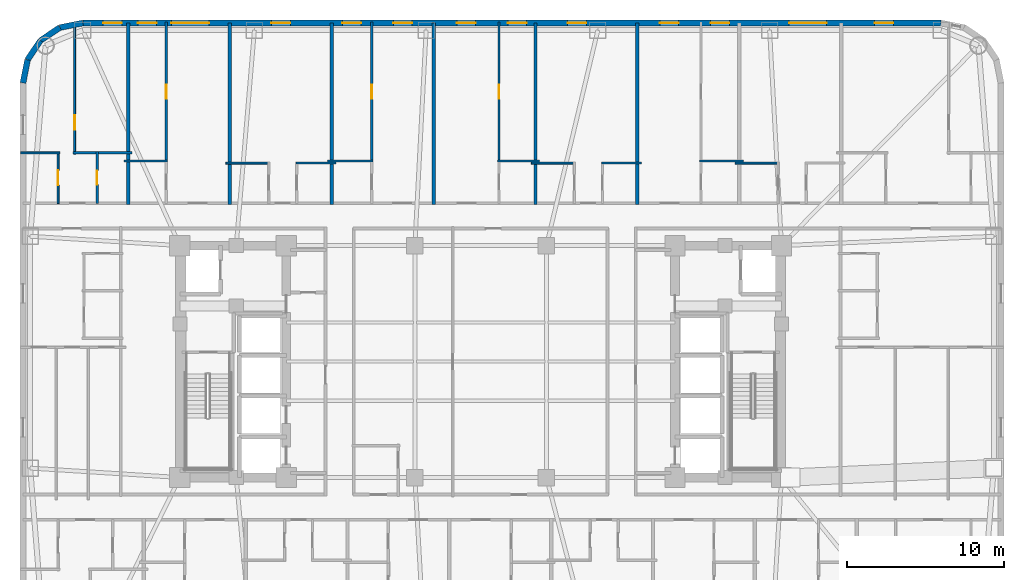
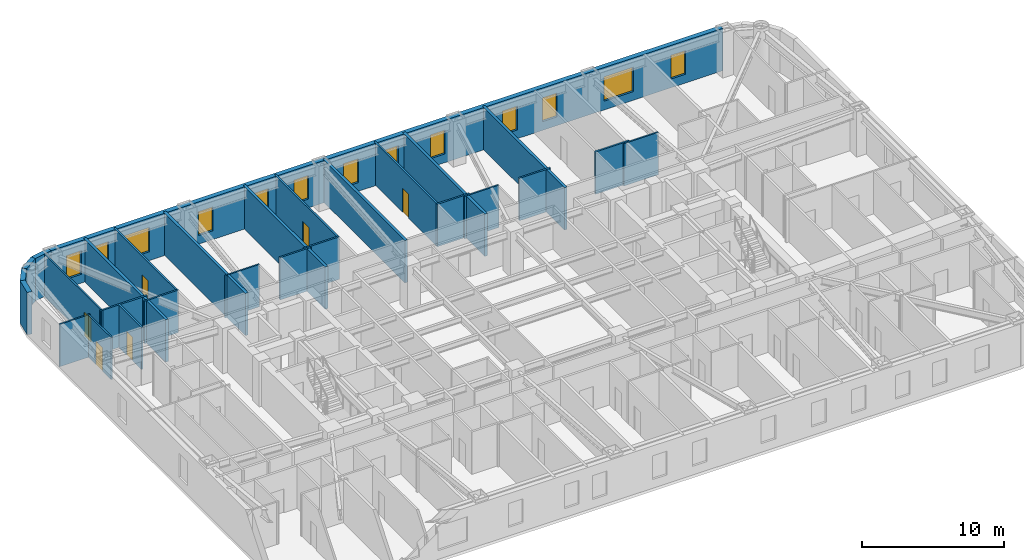
# One storey, part 9 of 12: 28 walls, 13 windows, 6 doors, 19 openings.
"""IFC4 building model written with IfcOpenShell, lengths in metres."""

from ifc_helpers import new_model, si_unit, direction, frame, frame_2d, origin, place, context, subcontext, project, spatial, rectangle, extrude, material, layer, layer_set, type_object, element, fill, save


model = new_model("IFC4")

# Units and contexts
model_context = context("Model", 3, precision=1e-05, world=origin(), true_north=direction((0.0, 1.0)))
body_context = subcontext(model_context, "Body", "Model", "MODEL_VIEW")
ifc_project = project(units=[si_unit("LENGTHUNIT", "METRE"), si_unit("AREAUNIT", "SQUARE_METRE"), si_unit("VOLUMEUNIT", "CUBIC_METRE"), si_unit("PLANEANGLEUNIT", "RADIAN"), si_unit("MASSUNIT", "GRAM", prefix="KILO")], contexts=[model_context])

# Site, building, storey
site_placement = place(None, origin())
site = spatial("IfcSite", under=ifc_project, at=site_placement, CompositionType="ELEMENT")
building_placement = place(site_placement, origin())
building = spatial("IfcBuilding", under=site, at=building_placement, Name="Voryun Gate Residences", CompositionType="ELEMENT")
storey_placement = place(building_placement, frame((0.0, 0.0, 128.699951171875)))
storey = spatial("IfcBuildingStorey", under=building, at=storey_placement, Name="L31", CompositionType="ELEMENT", Elevation=128.699951171875)

# Walls
ifc_material_1 = material(Name="Granite masonry", Category="masonry")
ifc_layer_1 = layer(ifc_material_1, 0.3798828125, Name="W_EXT_GRANITE_380")
ifc_layer_set_1 = layer_set([ifc_layer_1], Name="Granite masonry")
wall_type_1 = type_object("IfcWallType", Name="W_EXT_GRANITE_380", PredefinedType="ELEMENTEDWALL", material=ifc_layer_set_1)
wall_1_placement = place(storey_placement, frame((-29.2099609375, 17.78125, 0.0), z_axis=(0.0, 0.0, 1.0), x_axis=(0.195086038585, 0.980786132421, 0.0)))
element("IfcWall", 1, at=wall_1_placement, inside=storey, type_object=wall_type_1, Name="Exterior wall WEXT-L31-07", PredefinedType="ELEMENTEDWALL", context=body_context, shape_type="SweptSolid", body=[
    extrude(rectangle(XDim=1.504150390625, YDim=0.3798828125, at=frame_2d((0.751953125, 0.0))), origin(), (0.0, 0.0, 1.0), 3.650146484375),
])
wall_2_placement = place(storey_placement, frame((-28.91650390625, 19.256591796875, 0.0), z_axis=(0.0, 0.0, 1.0), x_axis=(0.555610286119, 0.831442848281, 0.0)))
element("IfcWall", 2, at=wall_2_placement, inside=storey, type_object=wall_type_1, Name="Exterior wall WEXT-L31-08", PredefinedType="ELEMENTEDWALL", context=body_context, shape_type="SweptSolid", body=[
    extrude(rectangle(XDim=1.485107421875, YDim=0.3798828125, at=frame_2d((0.74267578125, 0.0))), origin(), (0.0, 0.0, 1.0), 3.650146484375),
])
wall_3_placement = place(storey_placement, frame((-28.09130859375, 20.491455078125, 0.0), z_axis=(0.0, 0.0, 1.0), x_axis=(0.831468045563, 0.555572577804, 0.0)))
element("IfcWall", 3, at=wall_3_placement, inside=storey, type_object=wall_type_1, Name="Exterior wall WEXT-L31-09", PredefinedType="ELEMENTEDWALL", context=body_context, shape_type="SweptSolid", body=[
    extrude(rectangle(XDim=1.48486328125, YDim=0.3798828125, at=frame_2d((0.742431640625, 0.0))), origin(), (0.0, 0.0, 1.0), 3.650146484375),
])
wall_4_placement = place(storey_placement, frame((-26.856689453125, 21.31640625, 0.0), z_axis=(0.0, 0.0, 1.0), x_axis=(0.980755066645, 0.195242155415, 0.0)))
element("IfcWall", 4, at=wall_4_placement, inside=storey, type_object=wall_type_1, Name="Exterior wall WEXT-L31-10", PredefinedType="ELEMENTEDWALL", context=body_context, shape_type="SweptSolid", body=[
    extrude(rectangle(XDim=1.50439453125, YDim=0.3798828125, at=frame_2d((0.752197265625, 0.0))), origin(), (0.0, 0.0, 1.0), 3.650146484375),
])

# Wall, openings, windows
wall_5_placement = place(storey_placement, frame((-25.38134765625, 21.610107421875, 0.0), z_axis=(0.0, 0.0, 1.0), x_axis=(1.0, 0.0, 0.0)))
wall_5 = element("IfcWall", 5, at=wall_5_placement, inside=storey, type_object=wall_type_1, Name="Exterior wall WEXT-L31-11", PredefinedType="ELEMENTEDWALL", context=body_context, shape_type="SweptSolid", body=[
    extrude(rectangle(XDim=54.7626953125, YDim=0.3798828125, at=frame_2d((27.38134765625, 0.0))), origin(), (0.0, 0.0, 1.0), 3.650146484375),
])
opening_1_placement = place(wall_5_placement, frame((5.645263671875, 0.0, 0.75)))
opening_1 = element("IfcOpeningElement", 6, at=opening_1_placement, cuts=wall_5, Name="Opening WN2", PredefinedType="OPENING", context=body_context, shape_type="SweptSolid", body=[
    extrude(rectangle(XDim=2.39990234375, YDim=2.10009765625, at=frame_2d((1.199951171875, 1.050048828125))), frame((0.0, 0.199951171875, 0.0), z_axis=(0.0, -1.0, 0.0), x_axis=(1.0, 0.0, 0.0)), (0.0, 0.0, 1.0), 0.39990234375),
])
opening_2_placement = place(wall_5_placement, frame((45.0673828125, 0.0, 0.75)))
opening_2 = element("IfcOpeningElement", 7, at=opening_2_placement, cuts=wall_5, Name="Opening WN2", PredefinedType="OPENING", context=body_context, shape_type="SweptSolid", body=[
    extrude(rectangle(XDim=2.39990234375, YDim=2.10009765625, at=frame_2d((1.199951171875, 1.050048828125))), frame((0.0, 0.199951171875, 0.0), z_axis=(0.0, -1.0, 0.0), x_axis=(1.0, 0.0, 0.0)), (0.0, 0.0, 1.0), 0.39990234375),
])
opening_3_placement = place(wall_5_placement, frame((1.28564453125, 0.0, 0.75)))
opening_3 = element("IfcOpeningElement", 8, at=opening_3_placement, cuts=wall_5, Name="Opening WN6", PredefinedType="OPENING", context=body_context, shape_type="SweptSolid", body=[
    extrude(rectangle(XDim=1.199951171875, YDim=2.050048828125, at=frame_2d((0.60009765625, 1.02490234375))), frame((0.0, 0.199951171875, 0.0), z_axis=(0.0, -1.0, 0.0), x_axis=(1.0, 0.0, 0.0)), (0.0, 0.0, 1.0), 0.39990234375),
])
opening_4_placement = place(wall_5_placement, frame((3.501220703125, 0.0, 0.75)))
opening_4 = element("IfcOpeningElement", 9, at=opening_4_placement, cuts=wall_5, Name="Opening WN6", PredefinedType="OPENING", context=body_context, shape_type="SweptSolid", body=[
    extrude(rectangle(XDim=1.199951171875, YDim=2.050048828125, at=frame_2d((0.60009765625, 1.02490234375))), frame((0.0, 0.199951171875, 0.0), z_axis=(0.0, -1.0, 0.0), x_axis=(1.0, 0.0, 0.0)), (0.0, 0.0, 1.0), 0.39990234375),
])
opening_5_placement = place(wall_5_placement, frame((12.03125, 0.0, 0.75)))
opening_5 = element("IfcOpeningElement", 10, at=opening_5_placement, cuts=wall_5, Name="Opening WN6", PredefinedType="OPENING", context=body_context, shape_type="SweptSolid", body=[
    extrude(rectangle(XDim=1.199951171875, YDim=2.050048828125, at=frame_2d((0.60009765625, 1.02490234375))), frame((0.0, 0.199951171875, 0.0), z_axis=(0.0, -1.0, 0.0), x_axis=(1.0, 0.0, 0.0)), (0.0, 0.0, 1.0), 0.39990234375),
])
opening_6_placement = place(wall_5_placement, frame((19.805419921875, 0.0, 0.75)))
opening_6 = element("IfcOpeningElement", 11, at=opening_6_placement, cuts=wall_5, Name="Opening WN6", PredefinedType="OPENING", context=body_context, shape_type="SweptSolid", body=[
    extrude(rectangle(XDim=1.199951171875, YDim=2.050048828125, at=frame_2d((0.60009765625, 1.02490234375))), frame((0.0, 0.199951171875, 0.0), z_axis=(0.0, -1.0, 0.0), x_axis=(1.0, 0.0, 0.0)), (0.0, 0.0, 1.0), 0.39990234375),
])
opening_7_placement = place(wall_5_placement, frame((16.555419921875, 0.0, 0.75)))
opening_7 = element("IfcOpeningElement", 12, at=opening_7_placement, cuts=wall_5, Name="Opening WN6", PredefinedType="OPENING", context=body_context, shape_type="SweptSolid", body=[
    extrude(rectangle(XDim=1.199951171875, YDim=2.050048828125, at=frame_2d((0.60009765625, 1.02490234375))), frame((0.0, 0.199951171875, 0.0), z_axis=(0.0, -1.0, 0.0), x_axis=(1.0, 0.0, 0.0)), (0.0, 0.0, 1.0), 0.39990234375),
])
opening_8_placement = place(wall_5_placement, frame((23.86572265625, 0.0, 0.75)))
opening_8 = element("IfcOpeningElement", 13, at=opening_8_placement, cuts=wall_5, Name="Opening WN6", PredefinedType="OPENING", context=body_context, shape_type="SweptSolid", body=[
    extrude(rectangle(XDim=1.199951171875, YDim=2.050048828125, at=frame_2d((0.60009765625, 1.02490234375))), frame((0.0, 0.199951171875, 0.0), z_axis=(0.0, -1.0, 0.0), x_axis=(1.0, 0.0, 0.0)), (0.0, 0.0, 1.0), 0.39990234375),
])
opening_9_placement = place(wall_5_placement, frame((27.11572265625, 0.0, 0.75)))
opening_9 = element("IfcOpeningElement", 14, at=opening_9_placement, cuts=wall_5, Name="Opening WN6", PredefinedType="OPENING", context=body_context, shape_type="SweptSolid", body=[
    extrude(rectangle(XDim=1.199951171875, YDim=2.050048828125, at=frame_2d((0.60009765625, 1.02490234375))), frame((0.0, 0.199951171875, 0.0), z_axis=(0.0, -1.0, 0.0), x_axis=(1.0, 0.0, 0.0)), (0.0, 0.0, 1.0), 0.39990234375),
])
opening_10_placement = place(wall_5_placement, frame((30.931396484375, 0.0, 0.75)))
opening_10 = element("IfcOpeningElement", 15, at=opening_10_placement, cuts=wall_5, Name="Opening WN6", PredefinedType="OPENING", context=body_context, shape_type="SweptSolid", body=[
    extrude(rectangle(XDim=1.199951171875, YDim=2.050048828125, at=frame_2d((0.60009765625, 1.02490234375))), frame((0.0, 0.199951171875, 0.0), z_axis=(0.0, -1.0, 0.0), x_axis=(1.0, 0.0, 0.0)), (0.0, 0.0, 1.0), 0.39990234375),
])
opening_11_placement = place(wall_5_placement, frame((36.811279296875, 0.0, 0.75)))
opening_11 = element("IfcOpeningElement", 16, at=opening_11_placement, cuts=wall_5, Name="Opening WN6", PredefinedType="OPENING", context=body_context, shape_type="SweptSolid", body=[
    extrude(rectangle(XDim=1.199951171875, YDim=2.050048828125, at=frame_2d((0.60009765625, 1.02490234375))), frame((0.0, 0.199951171875, 0.0), z_axis=(0.0, -1.0, 0.0), x_axis=(1.0, 0.0, 0.0)), (0.0, 0.0, 1.0), 0.39990234375),
])
opening_12_placement = place(wall_5_placement, frame((40.061279296875, 0.0, 0.75)))
opening_12 = element("IfcOpeningElement", 17, at=opening_12_placement, cuts=wall_5, Name="Opening WN6", PredefinedType="OPENING", context=body_context, shape_type="SweptSolid", body=[
    extrude(rectangle(XDim=1.199951171875, YDim=2.050048828125, at=frame_2d((0.60009765625, 1.02490234375))), frame((0.0, 0.199951171875, 0.0), z_axis=(0.0, -1.0, 0.0), x_axis=(1.0, 0.0, 0.0)), (0.0, 0.0, 1.0), 0.39990234375),
])
opening_13_placement = place(wall_5_placement, frame((50.52685546875, 0.0, 0.75)))
opening_13 = element("IfcOpeningElement", 18, at=opening_13_placement, cuts=wall_5, Name="Opening WN6", PredefinedType="OPENING", context=body_context, shape_type="SweptSolid", body=[
    extrude(rectangle(XDim=1.199951171875, YDim=2.050048828125, at=frame_2d((0.60009765625, 1.02490234375))), frame((0.0, 0.199951171875, 0.0), z_axis=(0.0, -1.0, 0.0), x_axis=(1.0, 0.0, 0.0)), (0.0, 0.0, 1.0), 0.39990234375),
])
ifc_material_2 = material(Name="Laminated low-E glass", Category="glass")
window_type_1 = type_object("IfcWindowType", Name="WN_POD_SLOT_1200", PartitioningType="SINGLE_PANEL", PredefinedType="WINDOW", material=ifc_material_2)
window_1_placement = place(opening_3_placement, origin())
window_1 = element("IfcWindow", 19, at=window_1_placement, inside=storey, type_object=window_type_1, Name="Window WN-L31-DWFIX-02", OverallHeight=2.050048828125, OverallWidth=1.199951171875, PartitioningType="SINGLE_PANEL", PredefinedType="WINDOW", context=body_context, shape_type="SweptSolid", body=[
    extrude(rectangle(XDim=1.199951171875, YDim=2.050048828125, at=frame_2d((0.60009765625, 1.02490234375))), frame((0.0, 0.030029296875, 0.0), z_axis=(0.0, -1.0, 0.0), x_axis=(1.0, 0.0, 0.0)), (0.0, 0.0, 1.0), 0.06005859375),
])
fill(opening_3, window_1)
window_2_placement = place(opening_4_placement, origin())
window_2 = element("IfcWindow", 20, at=window_2_placement, inside=storey, type_object=window_type_1, Name="Window WN-L31-DWFIX-03", OverallHeight=2.050048828125, OverallWidth=1.199951171875, PartitioningType="SINGLE_PANEL", PredefinedType="WINDOW", context=body_context, shape_type="SweptSolid", body=[
    extrude(rectangle(XDim=1.199951171875, YDim=2.050048828125, at=frame_2d((0.60009765625, 1.02490234375))), frame((0.0, 0.030029296875, 0.0), z_axis=(0.0, -1.0, 0.0), x_axis=(1.0, 0.0, 0.0)), (0.0, 0.0, 1.0), 0.06005859375),
])
fill(opening_4, window_2)
window_3_placement = place(opening_5_placement, origin())
window_3 = element("IfcWindow", 21, at=window_3_placement, inside=storey, type_object=window_type_1, Name="Window WN-L31-DWFIX-04", OverallHeight=2.050048828125, OverallWidth=1.199951171875, PartitioningType="SINGLE_PANEL", PredefinedType="WINDOW", context=body_context, shape_type="SweptSolid", body=[
    extrude(rectangle(XDim=1.199951171875, YDim=2.050048828125, at=frame_2d((0.60009765625, 1.02490234375))), frame((0.0, 0.030029296875, 0.0), z_axis=(0.0, -1.0, 0.0), x_axis=(1.0, 0.0, 0.0)), (0.0, 0.0, 1.0), 0.06005859375),
])
fill(opening_5, window_3)
window_4_placement = place(opening_6_placement, origin())
window_4 = element("IfcWindow", 22, at=window_4_placement, inside=storey, type_object=window_type_1, Name="Window WN-L31-DWFIX-05", OverallHeight=2.050048828125, OverallWidth=1.199951171875, PartitioningType="SINGLE_PANEL", PredefinedType="WINDOW", context=body_context, shape_type="SweptSolid", body=[
    extrude(rectangle(XDim=1.199951171875, YDim=2.050048828125, at=frame_2d((0.60009765625, 1.02490234375))), frame((0.0, 0.030029296875, 0.0), z_axis=(0.0, -1.0, 0.0), x_axis=(1.0, 0.0, 0.0)), (0.0, 0.0, 1.0), 0.06005859375),
])
fill(opening_6, window_4)
window_5_placement = place(opening_7_placement, origin())
window_5 = element("IfcWindow", 23, at=window_5_placement, inside=storey, type_object=window_type_1, Name="Window WN-L31-DWFIX-06", OverallHeight=2.050048828125, OverallWidth=1.199951171875, PartitioningType="SINGLE_PANEL", PredefinedType="WINDOW", context=body_context, shape_type="SweptSolid", body=[
    extrude(rectangle(XDim=1.199951171875, YDim=2.050048828125, at=frame_2d((0.60009765625, 1.02490234375))), frame((0.0, 0.030029296875, 0.0), z_axis=(0.0, -1.0, 0.0), x_axis=(1.0, 0.0, 0.0)), (0.0, 0.0, 1.0), 0.06005859375),
])
fill(opening_7, window_5)
window_6_placement = place(opening_8_placement, origin())
window_6 = element("IfcWindow", 24, at=window_6_placement, inside=storey, type_object=window_type_1, Name="Window WN-L31-DWFIX-07", OverallHeight=2.050048828125, OverallWidth=1.199951171875, PartitioningType="SINGLE_PANEL", PredefinedType="WINDOW", context=body_context, shape_type="SweptSolid", body=[
    extrude(rectangle(XDim=1.199951171875, YDim=2.050048828125, at=frame_2d((0.60009765625, 1.02490234375))), frame((0.0, 0.030029296875, 0.0), z_axis=(0.0, -1.0, 0.0), x_axis=(1.0, 0.0, 0.0)), (0.0, 0.0, 1.0), 0.06005859375),
])
fill(opening_8, window_6)
window_7_placement = place(opening_9_placement, origin())
window_7 = element("IfcWindow", 25, at=window_7_placement, inside=storey, type_object=window_type_1, Name="Window WN-L31-DWFIX-08", OverallHeight=2.050048828125, OverallWidth=1.199951171875, PartitioningType="SINGLE_PANEL", PredefinedType="WINDOW", context=body_context, shape_type="SweptSolid", body=[
    extrude(rectangle(XDim=1.199951171875, YDim=2.050048828125, at=frame_2d((0.60009765625, 1.02490234375))), frame((0.0, 0.030029296875, 0.0), z_axis=(0.0, -1.0, 0.0), x_axis=(1.0, 0.0, 0.0)), (0.0, 0.0, 1.0), 0.06005859375),
])
fill(opening_9, window_7)
window_8_placement = place(opening_10_placement, origin())
window_8 = element("IfcWindow", 26, at=window_8_placement, inside=storey, type_object=window_type_1, Name="Window WN-L31-DWFIX-09", OverallHeight=2.050048828125, OverallWidth=1.199951171875, PartitioningType="SINGLE_PANEL", PredefinedType="WINDOW", context=body_context, shape_type="SweptSolid", body=[
    extrude(rectangle(XDim=1.199951171875, YDim=2.050048828125, at=frame_2d((0.60009765625, 1.02490234375))), frame((0.0, 0.030029296875, 0.0), z_axis=(0.0, -1.0, 0.0), x_axis=(1.0, 0.0, 0.0)), (0.0, 0.0, 1.0), 0.06005859375),
])
fill(opening_10, window_8)
window_9_placement = place(opening_11_placement, origin())
window_9 = element("IfcWindow", 27, at=window_9_placement, inside=storey, type_object=window_type_1, Name="Window WN-L31-DWFIX-10", OverallHeight=2.050048828125, OverallWidth=1.199951171875, PartitioningType="SINGLE_PANEL", PredefinedType="WINDOW", context=body_context, shape_type="SweptSolid", body=[
    extrude(rectangle(XDim=1.199951171875, YDim=2.050048828125, at=frame_2d((0.60009765625, 1.02490234375))), frame((0.0, 0.030029296875, 0.0), z_axis=(0.0, -1.0, 0.0), x_axis=(1.0, 0.0, 0.0)), (0.0, 0.0, 1.0), 0.06005859375),
])
fill(opening_11, window_9)
window_10_placement = place(opening_12_placement, origin())
window_10 = element("IfcWindow", 28, at=window_10_placement, inside=storey, type_object=window_type_1, Name="Window WN-L31-DWFIX-11", OverallHeight=2.050048828125, OverallWidth=1.199951171875, PartitioningType="SINGLE_PANEL", PredefinedType="WINDOW", context=body_context, shape_type="SweptSolid", body=[
    extrude(rectangle(XDim=1.199951171875, YDim=2.050048828125, at=frame_2d((0.60009765625, 1.02490234375))), frame((0.0, 0.030029296875, 0.0), z_axis=(0.0, -1.0, 0.0), x_axis=(1.0, 0.0, 0.0)), (0.0, 0.0, 1.0), 0.06005859375),
])
fill(opening_12, window_10)
window_11_placement = place(opening_13_placement, origin())
window_11 = element("IfcWindow", 29, at=window_11_placement, inside=storey, type_object=window_type_1, Name="Window WN-L31-DWFIX-12", OverallHeight=2.050048828125, OverallWidth=1.199951171875, PartitioningType="SINGLE_PANEL", PredefinedType="WINDOW", context=body_context, shape_type="SweptSolid", body=[
    extrude(rectangle(XDim=1.199951171875, YDim=2.050048828125, at=frame_2d((0.60009765625, 1.02490234375))), frame((0.0, 0.030029296875, 0.0), z_axis=(0.0, -1.0, 0.0), x_axis=(1.0, 0.0, 0.0)), (0.0, 0.0, 1.0), 0.06005859375),
])
fill(opening_13, window_11)
ifc_material_3 = material(Name="Laminated low-E glass", Category="glass")
window_type_2 = type_object("IfcWindowType", Name="WN_RES_WIDE_2400", PartitioningType="SINGLE_PANEL", PredefinedType="WINDOW", material=ifc_material_3)
window_12_placement = place(opening_1_placement, origin())
window_12 = element("IfcWindow", 30, at=window_12_placement, inside=storey, type_object=window_type_2, Name="Window WN-WEXT-L31-11-01", OverallHeight=2.10009765625, OverallWidth=2.39990234375, PartitioningType="SINGLE_PANEL", PredefinedType="WINDOW", context=body_context, shape_type="SweptSolid", body=[
    extrude(rectangle(XDim=2.39990234375, YDim=2.10009765625, at=frame_2d((1.199951171875, 1.050048828125))), frame((0.0, 0.030029296875, 0.0), z_axis=(0.0, -1.0, 0.0), x_axis=(1.0, 0.0, 0.0)), (0.0, 0.0, 1.0), 0.06005859375),
])
fill(opening_1, window_12)
window_13_placement = place(opening_2_placement, origin())
window_13 = element("IfcWindow", 31, at=window_13_placement, inside=storey, type_object=window_type_2, Name="Window WN-WEXT-L31-11-04", OverallHeight=2.10009765625, OverallWidth=2.39990234375, PartitioningType="SINGLE_PANEL", PredefinedType="WINDOW", context=body_context, shape_type="SweptSolid", body=[
    extrude(rectangle(XDim=2.39990234375, YDim=2.10009765625, at=frame_2d((1.199951171875, 1.050048828125))), frame((0.0, 0.030029296875, 0.0), z_axis=(0.0, -1.0, 0.0), x_axis=(1.0, 0.0, 0.0)), (0.0, 0.0, 1.0), 0.06005859375),
])
fill(opening_2, window_13)

# Walls
ifc_material_4 = material(Name="Concrete C40/50", Category="concrete")
ifc_layer_2 = layer(ifc_material_4, 0.219970703125, Name="W_PARTY_ACOUSTIC_220")
ifc_layer_set_2 = layer_set([ifc_layer_2], Name="Concrete C40/50")
wall_type_2 = type_object("IfcWallType", Name="W_PARTY_ACOUSTIC_220", PredefinedType="PARTITIONING", material=ifc_layer_set_2)
for number, where, z_axis, x_axis, name in (
    (32, (-22.5, 10.02001953125, 0.0), (0.0, 0.0, 1.0), (0.0, 1.0, 0.0), "Partition wall WP-L31-NPTY-1"),
    (33, (-16.0, 10.02001953125, 0.0), (0.0, 0.0, 1.0), (0.0, 1.0, 0.0), "Partition wall WP-L31-NPTY-2"),
    (34, (-9.5, 10.02001953125, 0.0), (0.0, 0.0, 1.0), (0.0, 1.0, 0.0), "Partition wall WP-L31-NPTY-3"),
    (35, (-3.0, 10.02001953125, 0.0), (0.0, 0.0, 1.0), (0.0, 1.0, 0.0), "Partition wall WP-L31-NPTY-4"),
    (36, (3.5, 10.02001953125, 0.0), (0.0, 0.0, 1.0), (0.0, 1.0, 0.0), "Partition wall WP-L31-NPTY-5"),
    (37, (10.0, 10.02001953125, 0.0), (0.0, 0.0, 1.0), (0.0, 1.0, 0.0), "Partition wall WP-L31-NPTY-6"),
):
    element("IfcWall", number, at=place(storey_placement, frame(where, z_axis=z_axis, x_axis=x_axis)), inside=storey, type_object=wall_type_2, Name=name, PredefinedType="PARTITIONING", context=body_context, shape_type="SweptSolid", body=[
        extrude(rectangle(XDim=11.590087890625, YDim=0.219970703125, at=frame_2d((5.794921875, 0.0))), origin(), (0.0, 0.0, 1.0), 3.650146484375),
    ])

# Wall, opening, door
ifc_material_5 = material(Name="Gypsum acoustic partition")
ifc_layer_3 = layer(ifc_material_5, 0.125, Name="W_UNIT_PART_125")
ifc_layer_set_3 = layer_set([ifc_layer_3], Name="Gypsum acoustic partition")
wall_type_3 = type_object("IfcWallType", Name="W_UNIT_PART_125", PredefinedType="PARTITIONING", material=ifc_layer_set_3)
wall_6_placement = place(storey_placement, frame((-25.909912109375, 13.239990234375, 0.0), z_axis=(0.0, 0.0, 1.0), x_axis=(0.0, 1.0, 0.0)))
wall_6 = element("IfcWall", 38, at=wall_6_placement, inside=storey, type_object=wall_type_3, Name="Partition wall WP-L31-N1-OVR", PredefinedType="PARTITIONING", context=body_context, shape_type="SweptSolid", body=[
    extrude(rectangle(XDim=8.417724609375, YDim=0.125, at=frame_2d((4.208984375, 0.0))), origin(), (0.0, 0.0, 1.0), 3.650146484375),
])
opening_14_placement = place(wall_6_placement, frame((1.5703125, 0.0, 0.0)))
opening_14 = element("IfcOpeningElement", 39, at=opening_14_placement, cuts=wall_6, Name="Opening D-INT-2", PredefinedType="OPENING", context=body_context, shape_type="SweptSolid", body=[
    extrude(rectangle(XDim=0.89990234375, YDim=2.050048828125, at=frame_2d((0.449951171875, 1.02490234375))), frame((0.0, 0.072509765625, 0.0), z_axis=(0.0, -1.0, 0.0), x_axis=(1.0, 0.0, 0.0)), (0.0, 0.0, 1.0), 0.14501953125),
])
ifc_material_6 = material(Name="Architectural oak veneer")
door_type_1 = type_object("IfcDoorType", Name="DR_INT_BATH_900", OperationType="NOTDEFINED", PredefinedType="DOOR", material=ifc_material_6)
door_1_placement = place(opening_14_placement, origin())
door_1 = element("IfcDoor", 40, at=door_1_placement, inside=storey, type_object=door_type_1, Name="Door DR-L31-N1-DMB", OperationType="SINGLE_SWING_RIGHT", OverallHeight=2.050048828125, OverallWidth=0.89990234375, PredefinedType="DOOR", context=body_context, shape_type="SweptSolid", body=[
    extrude(rectangle(XDim=0.89990234375, YDim=2.050048828125, at=frame_2d((0.449951171875, 1.02490234375))), frame((0.0, 0.02490234375, 0.0), z_axis=(0.0, -1.0, 0.0), x_axis=(1.0, 0.0, 0.0)), (0.0, 0.0, 1.0), 0.050048828125),
])
fill(opening_14, door_1)

wall_7_placement = place(storey_placement, frame((-26.968017578125, 10.080078125, 0.0), z_axis=(0.0, 0.0, 1.0), x_axis=(0.0, 1.0, 0.0)))
wall_7 = element("IfcWall", 41, at=wall_7_placement, inside=storey, type_object=wall_type_3, Name="Partition wall WP-L31-N1-IVK", PredefinedType="PARTITIONING", context=body_context, shape_type="SweptSolid", body=[
    extrude(rectangle(XDim=3.31982421875, YDim=0.125, at=frame_2d((1.659912109375, 0.0))), origin(), (0.0, 0.0, 1.0), 3.650146484375),
])
opening_15_placement = place(wall_7_placement, frame((1.18505859375, 0.0, 0.0)))
opening_15 = element("IfcOpeningElement", 42, at=opening_15_placement, cuts=wall_7, Name="Opening D-INT-1", PredefinedType="OPENING", context=body_context, shape_type="SweptSolid", body=[
    extrude(rectangle(XDim=0.949951171875, YDim=2.050048828125, at=frame_2d((0.47509765625, 1.02490234375))), frame((0.0, 0.072509765625, 0.0), z_axis=(0.0, -1.0, 0.0), x_axis=(1.0, 0.0, 0.0)), (0.0, 0.0, 1.0), 0.14501953125),
])
ifc_material_7 = material(Name="Architectural oak veneer")
door_type_2 = type_object("IfcDoorType", Name="DR_INT_ROOM_950", OperationType="NOTDEFINED", PredefinedType="DOOR", material=ifc_material_7)
door_2_placement = place(opening_15_placement, origin())
door_2 = element("IfcDoor", 43, at=door_2_placement, inside=storey, type_object=door_type_2, Name="Door DR-L31-N1-DK", OperationType="SINGLE_SWING_LEFT", OverallHeight=2.050048828125, OverallWidth=0.949951171875, PredefinedType="DOOR", context=body_context, shape_type="SweptSolid", body=[
    extrude(rectangle(XDim=0.949951171875, YDim=2.050048828125, at=frame_2d((0.47509765625, 1.02490234375))), frame((0.0, 0.02490234375, 0.0), z_axis=(0.0, -1.0, 0.0), x_axis=(1.0, 0.0, 0.0)), (0.0, 0.0, 1.0), 0.050048828125),
])
fill(opening_15, door_2)

# Walls
wall_8_placement = place(storey_placement, frame((-29.360107421875, 13.320068359375, 0.0), z_axis=(0.0, 0.0, 1.0), x_axis=(1.0, 0.0, 0.0)))
element("IfcWall", 44, at=wall_8_placement, inside=storey, type_object=wall_type_3, Name="Partition wall WP-L31-N1-HZK", PredefinedType="PARTITIONING", context=body_context, shape_type="SweptSolid", body=[
    extrude(rectangle(XDim=2.51220703125, YDim=0.125, at=frame_2d((1.256103515625, 0.0))), origin(), (0.0, 0.0, 1.0), 3.650146484375),
])
for number, where, z_axis, x_axis, name in (
    (45, (-16.260009765625, 12.669921875, 0.0), (0.0, 0.0, 1.0), (1.0, 0.0, 0.0), "Partition wall WP-L31-N3-CHK"),
    (46, (3.239990234375, 12.669921875, 0.0), (0.0, 0.0, 1.0), (1.0, 0.0, 0.0), "Partition wall WP-L31-N6-CHK"),
    (47, (16.239990234375, 12.669921875, 0.0), (0.0, 0.0, 1.0), (1.0, 0.0, 0.0), "Partition wall WP-L31-N8-CHK"),
):
    element("IfcWall", number, at=place(storey_placement, frame(where, z_axis=z_axis, x_axis=x_axis)), inside=storey, type_object=wall_type_3, Name=name, PredefinedType="PARTITIONING", context=body_context, shape_type="SweptSolid", body=[
        extrude(rectangle(XDim=2.803955078125, YDim=0.125, at=frame_2d((1.40185546875, 0.0))), origin(), (0.0, 0.0, 1.0), 3.650146484375),
    ])
ifc_material_8 = material(Name="Gypsum moisture-resistant partition")
ifc_layer_4 = layer(ifc_material_8, 0.14990234375, Name="W_WET_PLUMB_150")
ifc_layer_set_4 = layer_set([ifc_layer_4], Name="Gypsum moisture-resistant partition")
wall_type_4 = type_object("IfcWallType", Name="W_WET_PLUMB_150", PredefinedType="PLUMBINGWALL", material=ifc_layer_set_4)
wall_9_placement = place(storey_placement, frame((-26.030029296875, 13.320068359375, 0.0), z_axis=(0.0, 0.0, 1.0), x_axis=(1.0, 0.0, 0.0)))
element("IfcWall", 48, at=wall_9_placement, inside=storey, type_object=wall_type_4, Name="Partition wall WP-L31-N1-HZB", PredefinedType="PLUMBINGWALL", context=body_context, shape_type="SweptSolid", body=[
    extrude(rectangle(XDim=3.7900390625, YDim=0.14990234375, at=frame_2d((1.89501953125, 0.0))), origin(), (0.0, 0.0, 1.0), 3.650146484375),
])

# Wall, opening, door
wall_10_placement = place(storey_placement, frame((-24.47998046875, 10.080078125, 0.0), z_axis=(0.0, 0.0, 1.0), x_axis=(0.0, 1.0, 0.0)))
wall_10 = element("IfcWall", 49, at=wall_10_placement, inside=storey, type_object=wall_type_4, Name="Partition wall WP-L31-N1-IVB", PredefinedType="PLUMBINGWALL", context=body_context, shape_type="SweptSolid", body=[
    extrude(rectangle(XDim=3.31982421875, YDim=0.14990234375, at=frame_2d((1.659912109375, 0.0))), origin(), (0.0, 0.0, 1.0), 3.650146484375),
])
opening_16_placement = place(wall_10_placement, frame((1.2099609375, 0.0, 0.0)))
opening_16 = element("IfcOpeningElement", 50, at=opening_16_placement, cuts=wall_10, Name="Opening D-INT-2", PredefinedType="OPENING", context=body_context, shape_type="SweptSolid", body=[
    extrude(rectangle(XDim=0.89990234375, YDim=2.050048828125, at=frame_2d((0.449951171875, 1.02490234375))), frame((0.0, 0.0849609375, 0.0), z_axis=(0.0, -1.0, 0.0), x_axis=(1.0, 0.0, 0.0)), (0.0, 0.0, 1.0), 0.169921875),
])
door_3_placement = place(opening_16_placement, origin())
door_3 = element("IfcDoor", 51, at=door_3_placement, inside=storey, type_object=door_type_1, Name="Door DR-L31-N1-DB", OperationType="SINGLE_SWING_RIGHT", OverallHeight=2.050048828125, OverallWidth=0.89990234375, PredefinedType="DOOR", context=body_context, shape_type="SweptSolid", body=[
    extrude(rectangle(XDim=0.89990234375, YDim=2.050048828125, at=frame_2d((0.449951171875, 1.02490234375))), frame((0.0, 0.02490234375, 0.0), z_axis=(0.0, -1.0, 0.0), x_axis=(1.0, 0.0, 0.0)), (0.0, 0.0, 1.0), 0.050048828125),
])
fill(opening_16, door_3)

# Wall
wall_11_placement = place(storey_placement, frame((-22.760009765625, 12.800048828125, 0.0), z_axis=(0.0, 0.0, 1.0), x_axis=(1.0, 0.0, 0.0)))
element("IfcWall", 52, at=wall_11_placement, inside=storey, type_object=wall_type_4, Name="Partition wall WP-L31-N2-SKB", PredefinedType="PLUMBINGWALL", context=body_context, shape_type="SweptSolid", body=[
    extrude(rectangle(XDim=2.780029296875, YDim=0.14990234375, at=frame_2d((1.39013671875, 0.0))), origin(), (0.0, 0.0, 1.0), 3.650146484375),
])

# Wall, opening, door
wall_12_placement = place(storey_placement, frame((-20.06005859375, 12.760009765625, 0.0), z_axis=(0.0, 0.0, 1.0), x_axis=(0.0, 1.0, 0.0)))
wall_12 = element("IfcWall", 53, at=wall_12_placement, inside=storey, type_object=wall_type_4, Name="Partition wall WP-L31-N2-SVT2", PredefinedType="PLUMBINGWALL", context=body_context, shape_type="SweptSolid", body=[
    extrude(rectangle(XDim=8.897705078125, YDim=0.14990234375, at=frame_2d((4.44873046875, 0.0))), origin(), (0.0, 0.0, 1.0), 3.650146484375),
])
opening_17_placement = place(wall_12_placement, frame((3.998779296875, 0.0, 0.0)))
opening_17 = element("IfcOpeningElement", 54, at=opening_17_placement, cuts=wall_12, Name="Opening D-INT-2", PredefinedType="OPENING", context=body_context, shape_type="SweptSolid", body=[
    extrude(rectangle(XDim=0.89990234375, YDim=2.050048828125, at=frame_2d((0.449951171875, 1.02490234375))), frame((0.0, 0.0849609375, 0.0), z_axis=(0.0, -1.0, 0.0), x_axis=(1.0, 0.0, 0.0)), (0.0, 0.0, 1.0), 0.169921875),
])
door_4_placement = place(opening_17_placement, origin())
door_4 = element("IfcDoor", 55, at=door_4_placement, inside=storey, type_object=door_type_1, Name="Door DR-L31-N2-DK", OperationType="SINGLE_SWING_RIGHT", OverallHeight=2.050048828125, OverallWidth=0.89990234375, PredefinedType="DOOR", context=body_context, shape_type="SweptSolid", body=[
    extrude(rectangle(XDim=0.89990234375, YDim=2.050048828125, at=frame_2d((0.449951171875, 1.02490234375))), frame((0.0, 0.02490234375, 0.0), z_axis=(0.0, -1.0, 0.0), x_axis=(1.0, 0.0, 0.0)), (0.0, 0.0, 1.0), 0.050048828125),
])
fill(opening_17, door_4)

# Walls
wall_13_placement = place(storey_placement, frame((-11.7890625, 12.669921875, 0.0), z_axis=(0.0, 0.0, 1.0), x_axis=(1.0, 0.0, 0.0)))
element("IfcWall", 56, at=wall_13_placement, inside=storey, type_object=wall_type_4, Name="Partition wall WP-L31-N3-CHB", PredefinedType="PLUMBINGWALL", context=body_context, shape_type="SweptSolid", body=[
    extrude(rectangle(XDim=2.549072265625, YDim=0.14990234375, at=frame_2d((1.2744140625, 0.0))), origin(), (0.0, 0.0, 1.0), 3.650146484375),
])
wall_14_placement = place(storey_placement, frame((-9.760009765625, 12.800048828125, 0.0), z_axis=(0.0, 0.0, 1.0), x_axis=(1.0, 0.0, 0.0)))
element("IfcWall", 57, at=wall_14_placement, inside=storey, type_object=wall_type_4, Name="Partition wall WP-L31-N4-SKB", PredefinedType="PLUMBINGWALL", context=body_context, shape_type="SweptSolid", body=[
    extrude(rectangle(XDim=2.887939453125, YDim=0.14990234375, at=frame_2d((1.44384765625, 0.0))), origin(), (0.0, 0.0, 1.0), 3.650146484375),
])

# Wall, opening, door
wall_15_placement = place(storey_placement, frame((-6.951904296875, 12.760009765625, 0.0), z_axis=(0.0, 0.0, 1.0), x_axis=(0.0, 1.0, 0.0)))
wall_15 = element("IfcWall", 58, at=wall_15_placement, inside=storey, type_object=wall_type_4, Name="Partition wall WP-L31-N4-SVT2", PredefinedType="PLUMBINGWALL", context=body_context, shape_type="SweptSolid", body=[
    extrude(rectangle(XDim=8.897705078125, YDim=0.14990234375, at=frame_2d((4.44873046875, 0.0))), origin(), (0.0, 0.0, 1.0), 3.650146484375),
])
opening_18_placement = place(wall_15_placement, frame((3.998779296875, 0.0, 0.0)))
opening_18 = element("IfcOpeningElement", 59, at=opening_18_placement, cuts=wall_15, Name="Opening D-INT-2", PredefinedType="OPENING", context=body_context, shape_type="SweptSolid", body=[
    extrude(rectangle(XDim=0.89990234375, YDim=2.050048828125, at=frame_2d((0.449951171875, 1.02490234375))), frame((0.0, 0.0849609375, 0.0), z_axis=(0.0, -1.0, 0.0), x_axis=(1.0, 0.0, 0.0)), (0.0, 0.0, 1.0), 0.169921875),
])
door_5_placement = place(opening_18_placement, origin())
door_5 = element("IfcDoor", 60, at=door_5_placement, inside=storey, type_object=door_type_1, Name="Door DR-L31-N4-DK", OperationType="SINGLE_SWING_RIGHT", OverallHeight=2.050048828125, OverallWidth=0.89990234375, PredefinedType="DOOR", context=body_context, shape_type="SweptSolid", body=[
    extrude(rectangle(XDim=0.89990234375, YDim=2.050048828125, at=frame_2d((0.449951171875, 1.02490234375))), frame((0.0, 0.02490234375, 0.0), z_axis=(0.0, -1.0, 0.0), x_axis=(1.0, 0.0, 0.0)), (0.0, 0.0, 1.0), 0.050048828125),
])
fill(opening_18, door_5)

# Wall
wall_16_placement = place(storey_placement, frame((1.089111328125, 12.800048828125, 0.0), z_axis=(0.0, 0.0, 1.0), x_axis=(1.0, 0.0, 0.0)))
element("IfcWall", 61, at=wall_16_placement, inside=storey, type_object=wall_type_4, Name="Partition wall WP-L31-N5-SKB", PredefinedType="PLUMBINGWALL", context=body_context, shape_type="SweptSolid", body=[
    extrude(rectangle(XDim=2.6708984375, YDim=0.14990234375, at=frame_2d((1.33544921875, 0.0))), origin(), (0.0, 0.0, 1.0), 3.650146484375),
])

# Wall, opening, door
wall_17_placement = place(storey_placement, frame((1.1689453125, 12.760009765625, 0.0), z_axis=(0.0, 0.0, 1.0), x_axis=(0.0, 1.0, 0.0)))
wall_17 = element("IfcWall", 62, at=wall_17_placement, inside=storey, type_object=wall_type_4, Name="Partition wall WP-L31-N5-SVT2", PredefinedType="PLUMBINGWALL", context=body_context, shape_type="SweptSolid", body=[
    extrude(rectangle(XDim=8.897705078125, YDim=0.14990234375, at=frame_2d((4.44873046875, 0.0))), origin(), (0.0, 0.0, 1.0), 3.650146484375),
])
opening_19_placement = place(wall_17_placement, frame((3.998779296875, 0.0, 0.0)))
opening_19 = element("IfcOpeningElement", 63, at=opening_19_placement, cuts=wall_17, Name="Opening D-INT-2", PredefinedType="OPENING", context=body_context, shape_type="SweptSolid", body=[
    extrude(rectangle(XDim=0.89990234375, YDim=2.050048828125, at=frame_2d((0.449951171875, 1.02490234375))), frame((0.0, 0.0849609375, 0.0), z_axis=(0.0, -1.0, 0.0), x_axis=(1.0, 0.0, 0.0)), (0.0, 0.0, 1.0), 0.169921875),
])
door_6_placement = place(opening_19_placement, origin())
door_6 = element("IfcDoor", 64, at=door_6_placement, inside=storey, type_object=door_type_1, Name="Door DR-L31-N5-DK", OperationType="SINGLE_SWING_RIGHT", OverallHeight=2.050048828125, OverallWidth=0.89990234375, PredefinedType="DOOR", context=body_context, shape_type="SweptSolid", body=[
    extrude(rectangle(XDim=0.89990234375, YDim=2.050048828125, at=frame_2d((0.449951171875, 1.02490234375))), frame((0.0, 0.02490234375, 0.0), z_axis=(0.0, -1.0, 0.0), x_axis=(1.0, 0.0, 0.0)), (0.0, 0.0, 1.0), 0.050048828125),
])
fill(opening_19, door_6)

# Walls
wall_18_placement = place(storey_placement, frame((7.7109375, 12.669921875, 0.0), z_axis=(0.0, 0.0, 1.0), x_axis=(1.0, 0.0, 0.0)))
element("IfcWall", 65, at=wall_18_placement, inside=storey, type_object=wall_type_4, Name="Partition wall WP-L31-N6-CHB", PredefinedType="PLUMBINGWALL", context=body_context, shape_type="SweptSolid", body=[
    extrude(rectangle(XDim=2.549072265625, YDim=0.14990234375, at=frame_2d((1.2744140625, 0.0))), origin(), (0.0, 0.0, 1.0), 3.650146484375),
])
wall_19_placement = place(storey_placement, frame((13.97998046875, 12.800048828125, 0.0), z_axis=(0.0, 0.0, 1.0), x_axis=(1.0, 0.0, 0.0)))
element("IfcWall", 66, at=wall_19_placement, inside=storey, type_object=wall_type_4, Name="Partition wall WP-L31-N7-SKB", PredefinedType="PLUMBINGWALL", context=body_context, shape_type="SweptSolid", body=[
    extrude(rectangle(XDim=2.780029296875, YDim=0.14990234375, at=frame_2d((1.39013671875, 0.0))), origin(), (0.0, 0.0, 1.0), 3.650146484375),
])

save(model, "model.ifc")
